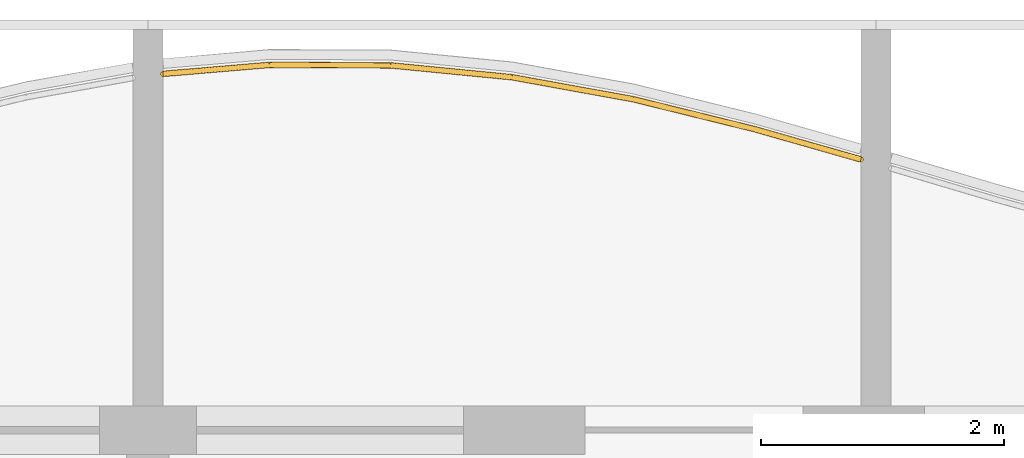
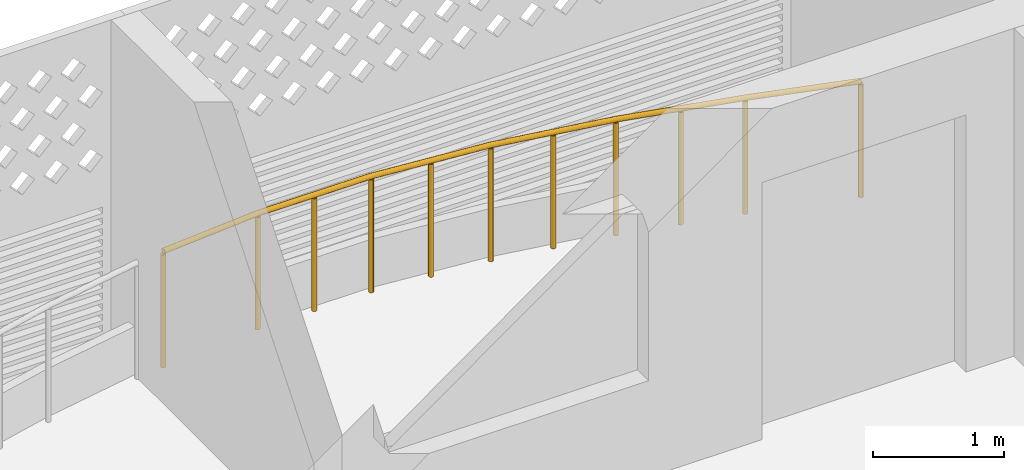
# One storey, part 20 of 26: 1 railing.
"""IFC4 building model written with IfcOpenShell, lengths in metres."""

from ifc_helpers import new_model, si_unit, direction, frame, origin, origin_2d, place, context, subcontext, project, spatial, circle, extrude, material, type_object, element, save


model = new_model("IFC4")

# Units and contexts
model_context = context("Model", 3, precision=1e-05, world=origin(), true_north=direction((0.0, 1.0)))
body_context = subcontext(model_context, "Body", "Model", "MODEL_VIEW")
ifc_project = project(units=[si_unit("LENGTHUNIT", "METRE"), si_unit("AREAUNIT", "SQUARE_METRE"), si_unit("VOLUMEUNIT", "CUBIC_METRE"), si_unit("PLANEANGLEUNIT", "RADIAN"), si_unit("MASSUNIT", "GRAM", prefix="KILO")], contexts=[model_context])

# Site, building, storey
site_placement = place(None, origin())
site = spatial("IfcSite", under=ifc_project, at=site_placement, CompositionType="ELEMENT")
building_placement = place(site_placement, origin())
building = spatial("IfcBuilding", under=site, at=building_placement, Name="Poui Terraces", CompositionType="ELEMENT")
storey_placement = place(building_placement, frame((0.0, 0.0, 79.5)))
storey = spatial("IfcBuildingStorey", under=building, at=storey_placement, Name="L21", CompositionType="ELEMENT", Elevation=79.5)

# Railing
ifc_material = material(Name="Painted steel fretwork", Category="steel")
railing_type = type_object("IfcRailingType", Name="BALCONY GUARD 1100", PredefinedType="GUARDRAIL", material=ifc_material)
railing_placement = place(storey_placement, frame((24.125, 46.535888671875, 0.0)))
element("IfcRailing", 1, at=railing_placement, inside=storey, type_object=railing_type, Name="BALCONY GUARD", PredefinedType="GUARDRAIL", context=body_context, shape_type="SweptSolid", body=[
    extrude(circle(Radius=0.02392578125, at=origin_2d()), frame((0.0, 0.0, 1.076171875), z_axis=(0.996445334102, 0.08424189069, 0.0), x_axis=(-0.08424189069, 0.996445334102, 0.0)), (0.0, 0.0, 1.0), 0.878173828125),
    extrude(circle(Radius=0.02392578125, at=origin_2d()), frame((0.875, 0.073974609375, 1.076171875), z_axis=(0.999992370693, -0.003906220198, 0.0), x_axis=(0.003906220198, 0.999992370693, 0.0)), (0.0, 0.0, 1.0), 1.0),
    extrude(circle(Radius=0.02392578125, at=origin_2d()), frame((1.875, 0.070068359375, 1.076171875), z_axis=(0.995265465661, -0.097193893131, 0.0), x_axis=(0.097193893131, 0.995265465661, 0.0)), (0.0, 0.0, 1.0), 1.004638671875),
    extrude(circle(Radius=0.02392578125, at=origin_2d()), frame((2.875, -0.027587890625, 1.076171875), z_axis=(0.983942855126, -0.178483774746, 0.0), x_axis=(0.178483774746, 0.983942855126, 0.0)), (0.0, 0.0, 1.0), 1.016357421875),
    extrude(circle(Radius=0.02392578125, at=origin_2d()), frame((3.875, -0.208984375, 1.076171875), z_axis=(0.970918311966, -0.239411009542, 0.0), x_axis=(0.239411009542, 0.970918311966, 0.0)), (0.0, 0.0, 1.0), 1.030029296875),
    extrude(circle(Radius=0.02392578125, at=origin_2d()), frame((4.875, -0.45556640625, 1.076171875), z_axis=(0.961736307653, -0.273976777376, 0.0), x_axis=(0.273976777376, 0.961736307653, 0.0)), (0.0, 0.0, 1.0), 0.909912109375),
    extrude(circle(Radius=0.02099609375, at=origin_2d()), origin(), (0.0, 0.0, 1.0), 1.052001953125),
    extrude(circle(Radius=0.02099609375, at=origin_2d()), frame((0.875, 0.073974609375, 0.0)), (0.0, 0.0, 1.0), 1.052001953125),
    extrude(circle(Radius=0.02099609375, at=origin_2d()), frame((1.375, 0.072021484375, 0.0)), (0.0, 0.0, 1.0), 1.052001953125),
    extrude(circle(Radius=0.02099609375, at=origin_2d()), frame((1.875, 0.070068359375, 0.0)), (0.0, 0.0, 1.0), 1.052001953125),
    extrude(circle(Radius=0.02099609375, at=origin_2d()), frame((2.375, 0.021240234375, 0.0)), (0.0, 0.0, 1.0), 1.052001953125),
    extrude(circle(Radius=0.02099609375, at=origin_2d()), frame((2.875, -0.027587890625, 0.0)), (0.0, 0.0, 1.0), 1.052001953125),
    extrude(circle(Radius=0.02099609375, at=origin_2d()), frame((3.375, -0.1181640625, 0.0)), (0.0, 0.0, 1.0), 1.052001953125),
    extrude(circle(Radius=0.02099609375, at=origin_2d()), frame((3.875, -0.208984375, 0.0)), (0.0, 0.0, 1.0), 1.052001953125),
    extrude(circle(Radius=0.02099609375, at=origin_2d()), frame((4.375, -0.332275390625, 0.0)), (0.0, 0.0, 1.0), 1.052001953125),
    extrude(circle(Radius=0.02099609375, at=origin_2d()), frame((4.875, -0.45556640625, 0.0)), (0.0, 0.0, 1.0), 1.052001953125),
    extrude(circle(Radius=0.02099609375, at=origin_2d()), frame((5.75, -0.704833984375, 0.0)), (0.0, 0.0, 1.0), 1.052001953125),
])

save(model, "model.ifc")
